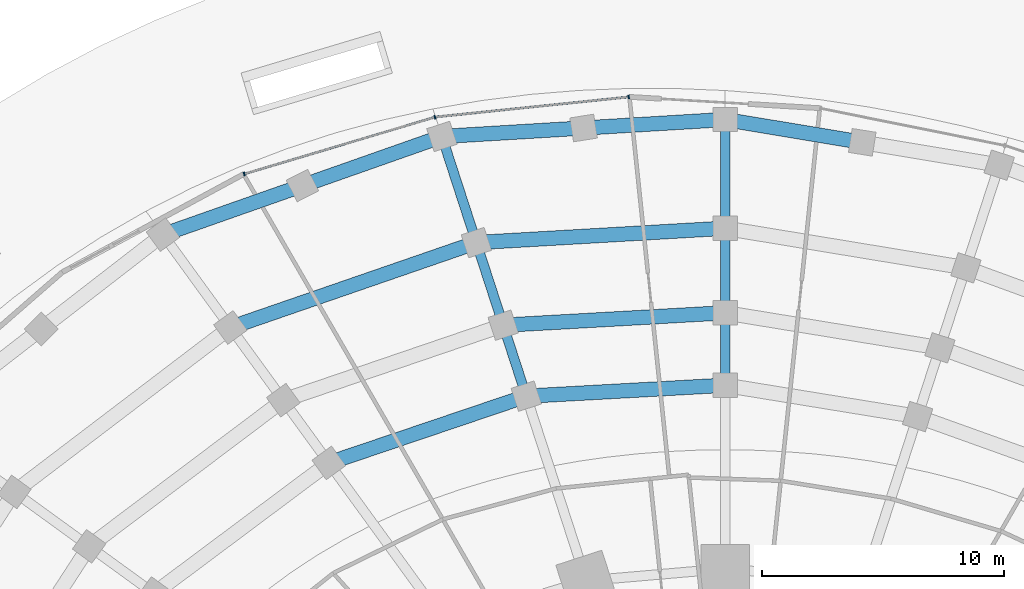
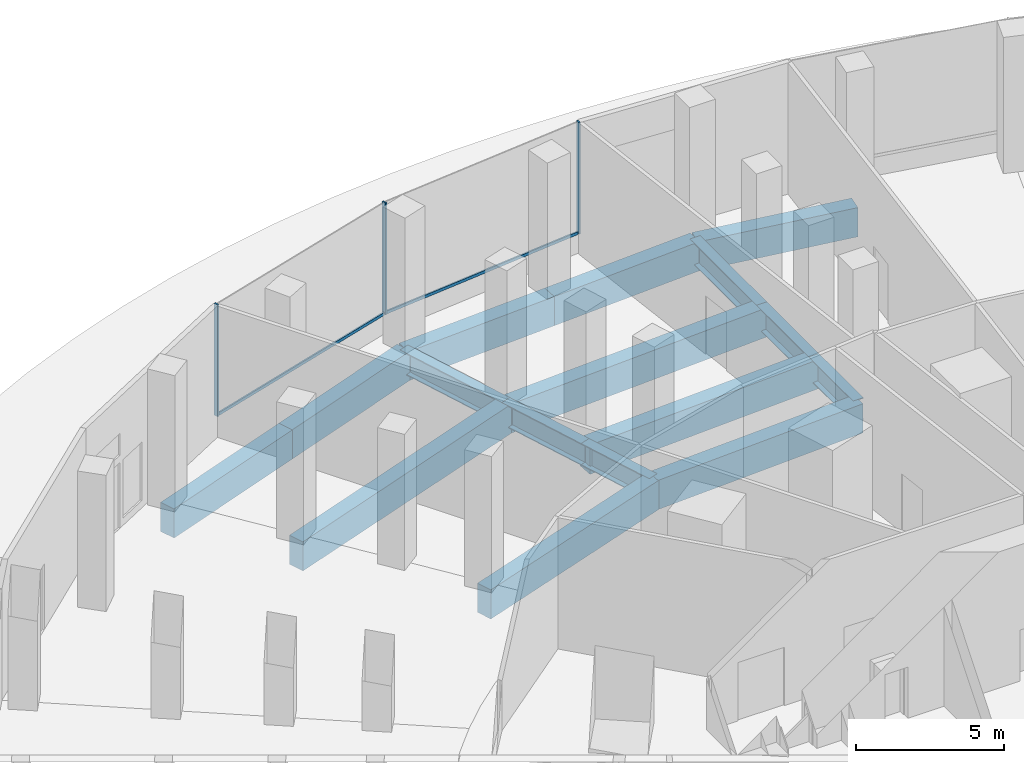
# One storey, part 10 of 23: 16 beams, 5 members, 1 element without a shape of its own.
"""IFC4 building model written with IfcOpenShell, lengths in metres."""

from ifc_helpers import new_model, si_unit, direction, frame, origin, origin_2d, place, context, subcontext, project, spatial, rectangle, i_section, extrude, material, material_profile, profile_set, type_object, element, aggregate, save


model = new_model("IFC4")

# Units and contexts
model_context = context("Model", 3, precision=1e-05, world=origin(), true_north=direction((0.0, 1.0)))
body_context = subcontext(model_context, "Body", "Model", "MODEL_VIEW")
ifc_project = project(units=[si_unit("LENGTHUNIT", "METRE"), si_unit("AREAUNIT", "SQUARE_METRE"), si_unit("VOLUMEUNIT", "CUBIC_METRE"), si_unit("PLANEANGLEUNIT", "RADIAN"), si_unit("MASSUNIT", "GRAM", prefix="KILO")], contexts=[model_context])

# Site, building, storey
site_placement = place(None, origin())
site = spatial("IfcSite", under=ifc_project, at=site_placement, CompositionType="ELEMENT")
building_placement = place(site_placement, origin())
building = spatial("IfcBuilding", under=site, at=building_placement, Name="Marramba Exchange Tower", CompositionType="ELEMENT")
storey_placement = place(building_placement, origin())
storey = spatial("IfcBuildingStorey", under=building, at=storey_placement, Name="L00", CompositionType="ELEMENT", Elevation=0.0)

# Beams
ifc_material_1 = material(Name="Concrete N50", Category="concrete")
ifc_material_profile_1 = material_profile(ifc_material_1, rectangle(XDim=0.60009765625, YDim=1.199951171875, at=origin_2d()), Name="RC 600x1200")
ifc_profile_set_1 = profile_set([ifc_material_profile_1], Name="Concrete N50")
beam_type_1 = type_object("IfcBeamType", Name="Edge beam RC 600x1200 N50", PredefinedType="SPANDREL", material=ifc_profile_set_1)
beam_1_placement = place(storey_placement, frame((5.671630859375, 35.855712890625, -0.800048828125), z_axis=(-0.98642030603, 0.164240615717, 0.0), x_axis=(-0.164240615717, -0.98642030603, 0.0)))
element("IfcBeam", 1, at=beam_1_placement, inside=storey, type_object=beam_type_1, Name="Edge beam L00 P0C05 half 2", PredefinedType="SPANDREL", context=body_context, shape_type="SweptSolid", body=[
    extrude(rectangle(XDim=0.60009765625, YDim=1.199951171875, at=origin_2d()), origin(), (0.0, 0.0, 1.0), 5.749755859375),
])
beam_2_placement = place(storey_placement, frame((0.0, 36.800048828125, -0.800048828125), z_axis=(-0.998210307217, -0.05980119201, 0.0), x_axis=(0.05980119201, -0.998210307217, 0.0)))
element("IfcBeam", 2, at=beam_2_placement, inside=storey, type_object=beam_type_1, Name="Edge beam L00 P0C06 half 1", PredefinedType="SPANDREL", context=body_context, shape_type="SweptSolid", body=[
    extrude(rectangle(XDim=0.60009765625, YDim=1.199951171875, at=origin_2d()), origin(), (0.0, 0.0, 1.0), 5.874755859375),
])
beam_3_placement = place(storey_placement, frame((-5.8642578125, 36.44873046875, -0.800048828125), z_axis=(-0.998210455825, -0.059798711375, 0.0), x_axis=(0.059798711375, -0.998210455825, 0.0)))
element("IfcBeam", 3, at=beam_3_placement, inside=storey, type_object=beam_type_1, Name="Edge beam L00 P0C06 half 2", PredefinedType="SPANDREL", context=body_context, shape_type="SweptSolid", body=[
    extrude(rectangle(XDim=0.60009765625, YDim=1.199951171875, at=origin_2d()), origin(), (0.0, 0.0, 1.0), 5.875),
])
beam_4_placement = place(storey_placement, frame((-11.728759765625, 36.097412109375, -0.800048828125), z_axis=(-0.943311003033, -0.33191015585, 0.0), x_axis=(0.33191015585, -0.943311003033, 0.0)))
element("IfcBeam", 4, at=beam_4_placement, inside=storey, type_object=beam_type_1, Name="Edge beam L00 P0C07 half 1", PredefinedType="SPANDREL", context=body_context, shape_type="SweptSolid", body=[
    extrude(rectangle(XDim=0.60009765625, YDim=1.199951171875, at=origin_2d()), origin(), (0.0, 0.0, 1.0), 6.119873046875),
])
beam_5_placement = place(storey_placement, frame((-17.501708984375, 34.066162109375, -0.800048828125), z_axis=(-0.943327886486, -0.331862168042, 0.0), x_axis=(0.331862168042, -0.943327886486, 0.0)))
element("IfcBeam", 5, at=beam_5_placement, inside=storey, type_object=beam_type_1, Name="Edge beam L00 P0C07 half 2", PredefinedType="SPANDREL", context=body_context, shape_type="SweptSolid", body=[
    extrude(rectangle(XDim=0.60009765625, YDim=1.199951171875, at=origin_2d()), origin(), (0.0, 0.0, 1.0), 6.1201171875),
])
beam_6_placement = place(storey_placement, frame((0.0, 32.300048828125, -0.800048828125), z_axis=(-0.99834326258, -0.057538943873, 0.0), x_axis=(0.057538943873, -0.99834326258, 0.0)))
element("IfcBeam", 6, at=beam_6_placement, inside=storey, type_object=beam_type_1, Name="Edge beam L00 P1C06", PredefinedType="SPANDREL", context=body_context, shape_type="SweptSolid", body=[
    extrude(rectangle(XDim=0.60009765625, YDim=1.199951171875, at=origin_2d()), origin(), (0.0, 0.0, 1.0), 10.319091796875),
])
beam_7_placement = place(storey_placement, frame((-10.302001953125, 31.706298828125, -0.800048828125), z_axis=(-0.945263321131, -0.326308525364, 0.0), x_axis=(0.326308525364, -0.945263321131, 0.0)))
element("IfcBeam", 7, at=beam_7_placement, inside=storey, type_object=beam_type_1, Name="Edge beam L00 P1C07", PredefinedType="SPANDREL", context=body_context, shape_type="SweptSolid", body=[
    extrude(rectangle(XDim=0.60009765625, YDim=1.199951171875, at=origin_2d()), origin(), (0.0, 0.0, 1.0), 10.770263671875),
])
beam_8_placement = place(storey_placement, frame((0.0, 28.800048828125, -0.800048828125), z_axis=(-0.998431244986, -0.055991508598, 0.0), x_axis=(0.055991508598, -0.998431244986, 0.0)))
element("IfcBeam", 8, at=beam_8_placement, inside=storey, type_object=beam_type_1, Name="Edge beam L00 P2C06", PredefinedType="SPANDREL", context=body_context, shape_type="SweptSolid", body=[
    extrude(rectangle(XDim=0.60009765625, YDim=1.199951171875, at=origin_2d()), origin(), (0.0, 0.0, 1.0), 9.20458984375),
])
beam_9_placement = place(storey_placement, frame((0.0, 25.800048828125, -0.800048828125), z_axis=(-0.998493145598, -0.054876572358, 0.0), x_axis=(0.054876572358, -0.998493145598, 0.0)))
element("IfcBeam", 9, at=beam_9_placement, inside=storey, type_object=beam_type_1, Name="Edge beam L00 P3C06", PredefinedType="SPANDREL", context=body_context, shape_type="SweptSolid", body=[
    extrude(rectangle(XDim=0.60009765625, YDim=1.199951171875, at=origin_2d()), origin(), (0.0, 0.0, 1.0), 8.248291015625),
])
beam_10_placement = place(storey_placement, frame((-8.23583984375, 25.347412109375, -0.800048828125), z_axis=(-0.947330534482, -0.320257487715, 0.0), x_axis=(0.320257487715, -0.947330534482, 0.0)))
element("IfcBeam", 10, at=beam_10_placement, inside=storey, type_object=beam_type_1, Name="Edge beam L00 P3C07", PredefinedType="SPANDREL", context=body_context, shape_type="SweptSolid", body=[
    extrude(rectangle(XDim=0.60009765625, YDim=1.199951171875, at=origin_2d()), origin(), (0.0, 0.0, 1.0), 8.627197265625),
])

# Curtain wall, members
ifc_material_2 = material(Name="Aluminium framing, bronze anodised", Category="aluminium")
curtain_wall_type = type_object("IfcCurtainWallType", Name="Exchange hall glazed wall", PredefinedType="USERDEFINED", material=ifc_material_2)
curtain_wall_placement = place(storey_placement, origin())
curtain_wall = element("IfcCurtainWall", 11, at=curtain_wall_placement, inside=storey, type_object=curtain_wall_type, Name="Curtain wall CW1 L00 F09-F10", ObjectType="RIBBON CURTAIN WALL", PredefinedType="USERDEFINED")
ifc_material_3 = material(Name="Aluminium mullion, bronze anodised", Category="aluminium")
ifc_material_profile_2 = material_profile(ifc_material_3, rectangle(XDim=0.159912109375, YDim=0.06005859375, at=origin_2d()), Name="CW1 mullion 60x160")
ifc_profile_set_2 = profile_set([ifc_material_profile_2], Name="Aluminium mullion, bronze anodised")
member_type_1 = type_object("IfcMemberType", Name="Exchange hall glazed wall mullion", PredefinedType="MULLION", material=ifc_profile_set_2)
member_1_placement = place(storey_placement, frame((-3.99609375, 37.73388671875, 0.800048828125), z_axis=(0.0, 0.0, 1.0), x_axis=(0.103042834628, -0.994676919523, 0.0)))
member_1 = element("IfcMember", 12, at=member_1_placement, type_object=member_type_1, Name="CW1 mullion 1", PredefinedType="MULLION", context=body_context, shape_type="SweptSolid", body=[
    extrude(rectangle(XDim=0.159912109375, YDim=0.06005859375, at=origin_2d()), origin(), (0.0, 0.0, 1.0), 4.599853515625),
])
member_2_placement = place(storey_placement, frame((-12.020263671875, 36.897216796875, 0.800048828125), z_axis=(0.0, 0.0, 1.0), x_axis=(0.285620767277, -0.958342724342, 0.0)))
member_2 = element("IfcMember", 13, at=member_2_placement, type_object=member_type_1, Name="CW1 mullion 1", PredefinedType="MULLION", context=body_context, shape_type="SweptSolid", body=[
    extrude(rectangle(XDim=0.159912109375, YDim=0.06005859375, at=origin_2d()), origin(), (0.0, 0.0, 1.0), 4.599853515625),
])
member_3_placement = place(storey_placement, frame((-19.9111328125, 34.54541015625, 0.800048828125), z_axis=(0.0, 0.0, 1.0), x_axis=(0.285620767277, -0.958342724342, 0.0)))
member_3 = element("IfcMember", 14, at=member_3_placement, type_object=member_type_1, Name="CW1 mullion 2", PredefinedType="MULLION", context=body_context, shape_type="SweptSolid", body=[
    extrude(rectangle(XDim=0.159912109375, YDim=0.06005859375, at=origin_2d()), origin(), (0.0, 0.0, 1.0), 4.599853515625),
])
ifc_material_4 = material(Name="Aluminium transom, bronze anodised", Category="aluminium")
ifc_material_profile_3 = material_profile(ifc_material_4, rectangle(XDim=0.06005859375, YDim=0.1201171875, at=origin_2d()), Name="CW1 transom 60x120")
ifc_profile_set_3 = profile_set([ifc_material_profile_3], Name="Aluminium transom, bronze anodised")
member_type_2 = type_object("IfcMemberType", Name="Exchange hall glazed wall transom", PredefinedType="USERDEFINED", material=ifc_profile_set_3)
member_4_placement = place(storey_placement, frame((-4.026123046875, 37.73095703125, 0.830078125), z_axis=(-0.994676503376, -0.103046851634, 0.0), x_axis=(0.103046851634, -0.994676503376, 0.0)))
member_4 = element("IfcMember", 15, at=member_4_placement, type_object=member_type_2, Name="CW1 sill transom", ObjectType="TRANSOM", PredefinedType="USERDEFINED", context=body_context, shape_type="SweptSolid", body=[
    extrude(rectangle(XDim=0.06005859375, YDim=0.1201171875, at=origin_2d()), origin(), (0.0, 0.0, 1.0), 8.008056640625),
])
member_5_placement = place(storey_placement, frame((-12.048828125, 36.888671875, 0.830078125), z_axis=(-0.958340987999, -0.285626593163, 0.0), x_axis=(0.285626593163, -0.958340987999, 0.0)))
member_5 = element("IfcMember", 16, at=member_5_placement, type_object=member_type_2, Name="CW1 sill transom", ObjectType="TRANSOM", PredefinedType="USERDEFINED", context=body_context, shape_type="SweptSolid", body=[
    extrude(rectangle(XDim=0.06005859375, YDim=0.1201171875, at=origin_2d()), origin(), (0.0, 0.0, 1.0), 8.174072265625),
])
aggregate(curtain_wall, [member_1, member_4, member_2, member_3, member_5])

# Beams
ifc_material_5 = material(Name="Steel AS/NZS 3679.2 grade 300", Category="steel")
ifc_material_profile_4 = material_profile(ifc_material_5, i_section(OverallWidth=0.39990234375, OverallDepth=0.89990234375, WebThickness=0.01611328125, FlangeThickness=0.031982421875, at=origin_2d()), Name="900WB282")
ifc_profile_set_4 = profile_set([ifc_material_profile_4], Name="Steel AS/NZS 3679.2 grade 300")
beam_type_2 = type_object("IfcBeamType", Name="Radial girder 900WB282", PredefinedType="BEAM", material=ifc_profile_set_4)
beam_11_placement = place(storey_placement, frame((0.0, 36.800048828125, -0.64990234375), z_axis=(0.0, -1.0, 0.0), x_axis=(1.0, 0.0, 0.0)))
element("IfcBeam", 17, at=beam_11_placement, inside=storey, type_object=beam_type_2, Name="Radial girder L00 P0C06", PredefinedType="BEAM", context=body_context, shape_type="SweptSolid", body=[
    extrude(i_section(OverallWidth=0.39990234375, OverallDepth=0.89990234375, WebThickness=0.01611328125, FlangeThickness=0.031982421875, at=origin_2d()), origin(), (0.0, 0.0, 1.0), 4.5),
])
beam_12_placement = place(storey_placement, frame((-11.728759765625, 36.097412109375, -0.64990234375), z_axis=(0.309016723837, -0.951056604198, 0.0), x_axis=(0.951056604198, 0.309016723837, 0.0)))
element("IfcBeam", 18, at=beam_12_placement, inside=storey, type_object=beam_type_2, Name="Radial girder L00 P0C07", PredefinedType="BEAM", context=body_context, shape_type="SweptSolid", body=[
    extrude(i_section(OverallWidth=0.39990234375, OverallDepth=0.89990234375, WebThickness=0.01611328125, FlangeThickness=0.031982421875, at=origin_2d()), origin(), (0.0, 0.0, 1.0), 4.6171875),
])
beam_13_placement = place(storey_placement, frame((0.0, 32.300048828125, -0.64990234375), z_axis=(0.0, -1.0, 0.0), x_axis=(1.0, 0.0, 0.0)))
element("IfcBeam", 19, at=beam_13_placement, inside=storey, type_object=beam_type_2, Name="Radial girder L00 P1C06", PredefinedType="BEAM", context=body_context, shape_type="SweptSolid", body=[
    extrude(i_section(OverallWidth=0.39990234375, OverallDepth=0.89990234375, WebThickness=0.01611328125, FlangeThickness=0.031982421875, at=origin_2d()), origin(), (0.0, 0.0, 1.0), 3.5),
])
beam_14_placement = place(storey_placement, frame((-10.302001953125, 31.706298828125, -0.64990234375), z_axis=(0.309032367287, -0.951051521196, 0.0), x_axis=(0.951051521196, 0.309032367287, 0.0)))
element("IfcBeam", 20, at=beam_14_placement, inside=storey, type_object=beam_type_2, Name="Radial girder L00 P1C07", PredefinedType="BEAM", context=body_context, shape_type="SweptSolid", body=[
    extrude(i_section(OverallWidth=0.39990234375, OverallDepth=0.89990234375, WebThickness=0.01611328125, FlangeThickness=0.031982421875, at=origin_2d()), origin(), (0.0, 0.0, 1.0), 3.59765625),
])
beam_15_placement = place(storey_placement, frame((0.0, 28.800048828125, -0.64990234375), z_axis=(0.0, -1.0, 0.0), x_axis=(1.0, 0.0, 0.0)))
element("IfcBeam", 21, at=beam_15_placement, inside=storey, type_object=beam_type_2, Name="Radial girder L00 P2C06", PredefinedType="BEAM", context=body_context, shape_type="SweptSolid", body=[
    extrude(i_section(OverallWidth=0.39990234375, OverallDepth=0.89990234375, WebThickness=0.01611328125, FlangeThickness=0.031982421875, at=origin_2d()), origin(), (0.0, 0.0, 1.0), 3.0),
])
beam_16_placement = place(storey_placement, frame((-9.190185546875, 28.28466796875, -0.64990234375), z_axis=(0.309009210268, -0.951059045469, 0.0), x_axis=(0.951059045469, 0.309009210268, 0.0)))
element("IfcBeam", 22, at=beam_16_placement, inside=storey, type_object=beam_type_2, Name="Radial girder L00 P2C07", PredefinedType="BEAM", context=body_context, shape_type="SweptSolid", body=[
    extrude(i_section(OverallWidth=0.39990234375, OverallDepth=0.89990234375, WebThickness=0.01611328125, FlangeThickness=0.031982421875, at=origin_2d()), origin(), (0.0, 0.0, 1.0), 3.08837890625),
])

save(model, "model.ifc")
